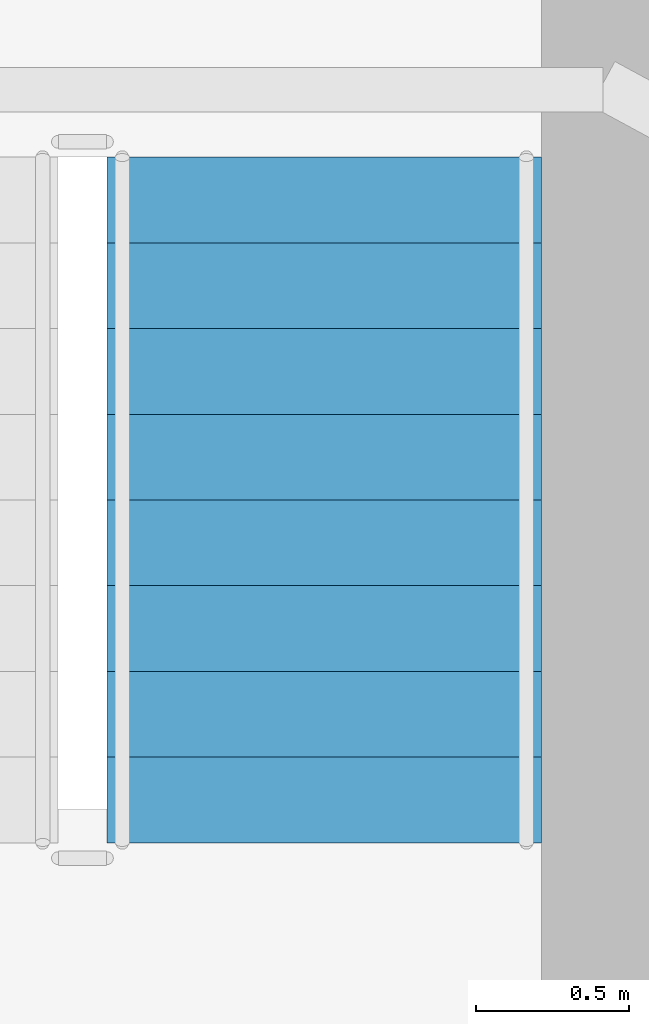
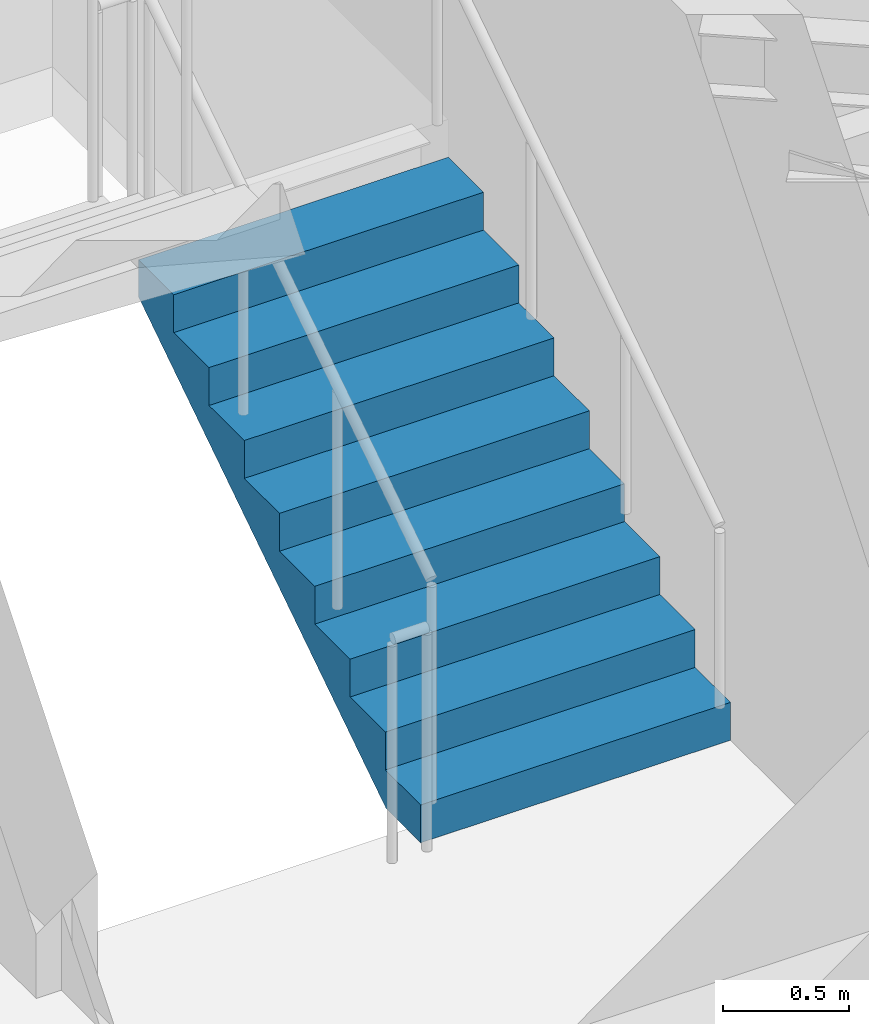
# One storey, part 30 of 33: 1 stair flight, 1 element without a shape of its own.
"""IFC4 building model written with IfcOpenShell, lengths in metres."""

from ifc_helpers import new_model, si_unit, direction, frame, origin, place, context, subcontext, project, spatial, polyline, outline, extrude, material, type_object, element, aggregate, save


model = new_model("IFC4")

# Units and contexts
model_context = context("Model", 3, precision=1e-05, world=origin(), true_north=direction((0.0, 1.0)))
body_context = subcontext(model_context, "Body", "Model", "MODEL_VIEW")
ifc_project = project(units=[si_unit("LENGTHUNIT", "METRE"), si_unit("AREAUNIT", "SQUARE_METRE"), si_unit("VOLUMEUNIT", "CUBIC_METRE"), si_unit("PLANEANGLEUNIT", "RADIAN"), si_unit("MASSUNIT", "GRAM", prefix="KILO")], contexts=[model_context])

# Site, building, storey
site_placement = place(None, origin())
site = spatial("IfcSite", under=ifc_project, at=site_placement, CompositionType="ELEMENT")
building_placement = place(site_placement, origin())
building = spatial("IfcBuilding", under=site, at=building_placement, Name="Orvanel Arch Residences", CompositionType="ELEMENT")
storey_placement = place(building_placement, frame((0.0, 0.0, 116.60009765625)))
storey = spatial("IfcBuildingStorey", under=building, at=storey_placement, Name="L32", CompositionType="ELEMENT", Elevation=116.60009765625)

# Stair, stair flight
ifc_material = material(Name="Precast concrete N50 (50 MPa)", Category="concrete")
stair_type = type_object("IfcStairType", Name="STR-DOG-184", PredefinedType="USERDEFINED", material=ifc_material)
stair_placement = place(storey_placement, origin())
stair = element("IfcStair", 1, at=stair_placement, inside=storey, type_object=stair_type, Name="L32 Fire-Isolated Core Exit Stair 2", ObjectType="TWO_RETURN_STAIR", PredefinedType="USERDEFINED")
stair_flight_type = type_object("IfcStairFlightType", Name="SFL-C2-184", PredefinedType="STRAIGHT", material=ifc_material)
stair_flight_placement = place(storey_placement, frame((38.68994140625, 28.320068359375, 0.0), z_axis=(0.0, 0.0, 1.0), x_axis=(0.0, 1.0, 0.0)))
stair_flight = element("IfcStairFlight", 2, at=stair_flight_placement, type_object=stair_flight_type, Name="ST-2 flight 1", NumberOfRisers=9, NumberOfTreads=8, PredefinedType="STRAIGHT", RiserHeight=0.183333333, TreadLength=0.28, context=body_context, shape_type="SweptSolid", body=[
    extrude(outline(polyline([(0.0, 0.0), (0.0, 0.183349609375), (0.280029296875, 0.183349609375), (0.280029296875, 0.36669921875), (0.56005859375, 0.36669921875), (0.56005859375, 0.550048828125), (0.840087890625, 0.550048828125), (0.840087890625, 0.7333984375), (1.1201171875, 0.7333984375), (1.1201171875, 0.916748046875), (1.39990234375, 0.916748046875), (1.39990234375, 1.10009765625), (1.679931640625, 1.10009765625), (1.679931640625, 1.283447265625), (1.9599609375, 1.283447265625), (1.9599609375, 1.466552734375), (2.239990234375, 1.466552734375), (2.239990234375, 1.64990234375), (2.239990234375, 1.28759765625), (0.273681640625, 0.0), (0.0, 0.0)])), frame((0.0, 0.7099609375, 0.0), z_axis=(0.0, -1.0, 0.0), x_axis=(1.0, 0.0, 0.0)), (0.0, 0.0, 1.0), 1.419921875),
])
aggregate(stair, [stair_flight])

save(model, "model.ifc")
